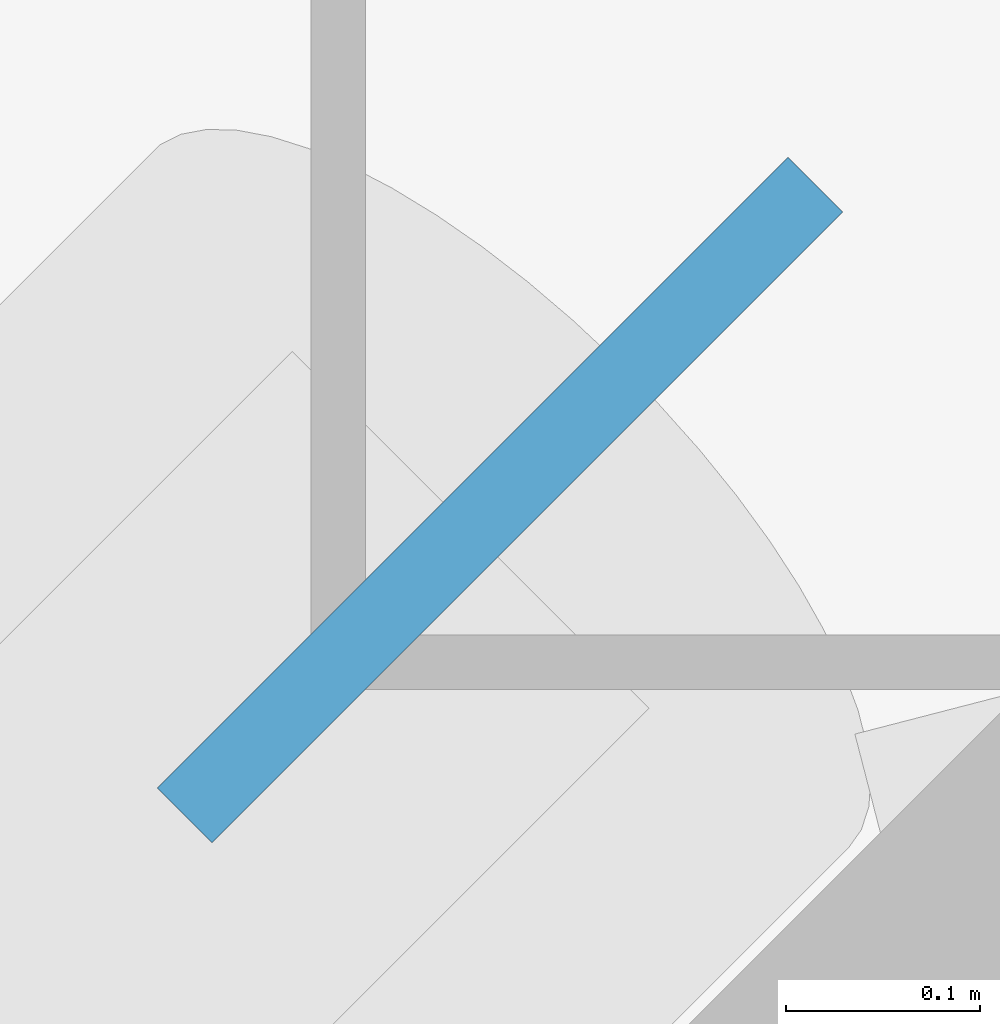
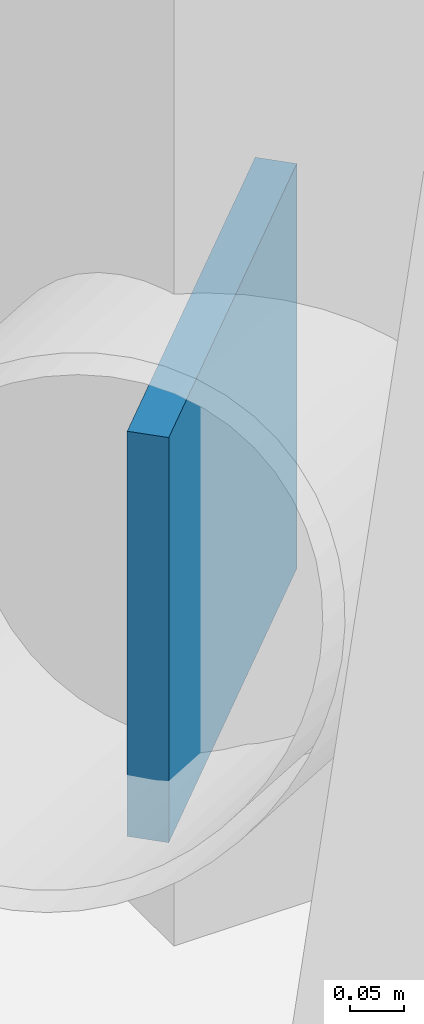
# One storey, part 16 of 18: 1 discrete accessory.
"""IFC4 building model written with IfcOpenShell, lengths in metres."""

from ifc_helpers import new_model, si_unit, direction, frame, origin, origin_2d, place, context, subcontext, project, spatial, rectangle, extrude, material, type_object, element, save


model = new_model("IFC4")

# Units and contexts
model_context = context("Model", 3, precision=1e-05, world=origin(), true_north=direction((0.0, 1.0)))
body_context = subcontext(model_context, "Body", "Model", "MODEL_VIEW")
ifc_project = project(units=[si_unit("LENGTHUNIT", "METRE"), si_unit("AREAUNIT", "SQUARE_METRE"), si_unit("VOLUMEUNIT", "CUBIC_METRE"), si_unit("PLANEANGLEUNIT", "RADIAN"), si_unit("MASSUNIT", "GRAM", prefix="KILO")], contexts=[model_context])

# Site, building, storey
site_placement = place(None, origin())
site = spatial("IfcSite", under=ifc_project, at=site_placement, CompositionType="ELEMENT")
building_placement = place(site_placement, origin())
building = spatial("IfcBuilding", under=site, at=building_placement, Name="Tavrogorsk Clinical Tower", CompositionType="ELEMENT")
storey_placement = place(building_placement, frame((0.0, 0.0, 196.199951171875)))
storey = spatial("IfcBuildingStorey", under=building, at=storey_placement, Name="L45", CompositionType="ELEMENT", Elevation=196.199951171875)

# Discrete accessory
ifc_material = material(Name="Structural steel S440", Category="steel")
discrete_accessory_type = type_object("IfcDiscreteAccessoryType", Name="GussetPlateBracket_25", PredefinedType="BRACKET", material=ifc_material)
discrete_accessory_placement = place(storey_placement, frame((-28.12255859375, 26.217529296875, 0.18310546875), z_axis=(0.0, 0.0, 1.0), x_axis=(-0.707106781187, -0.707106781187, 0.0)))
element("IfcDiscreteAccessory", 1, at=discrete_accessory_placement, inside=storey, type_object=discrete_accessory_type, Name="L45 Brace Gusset Plate EXOCRN-L45-3-A", PredefinedType="BRACKET", context=body_context, shape_type="SweptSolid", body=[
    extrude(rectangle(XDim=0.4599609375, YDim=0.0400390625, at=origin_2d()), origin(), (0.0, 0.0, 1.0), 0.4599609375),
])

save(model, "model.ifc")
